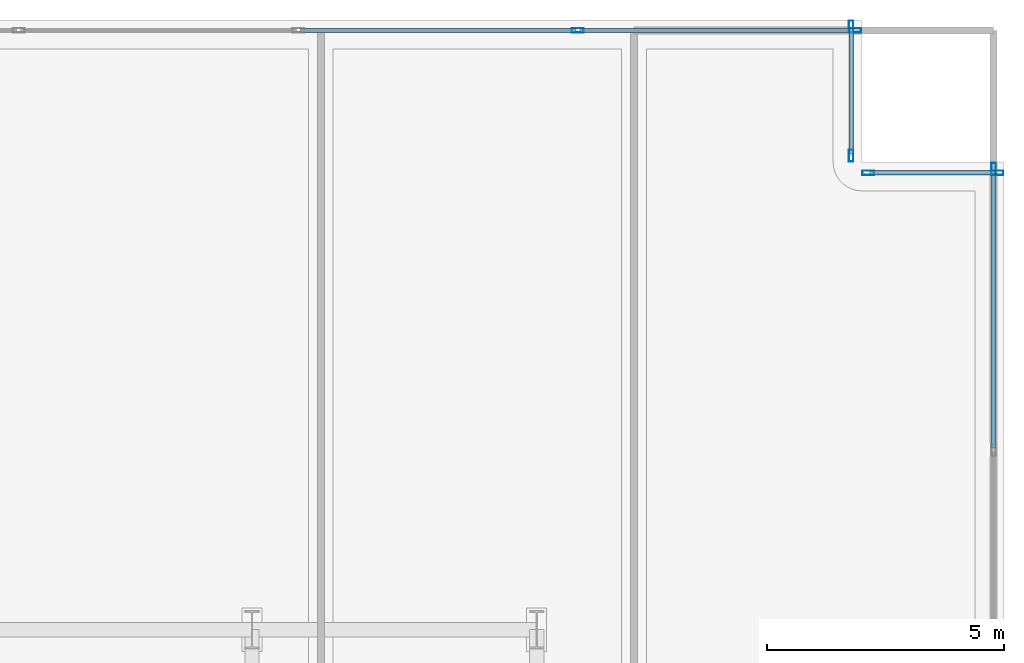
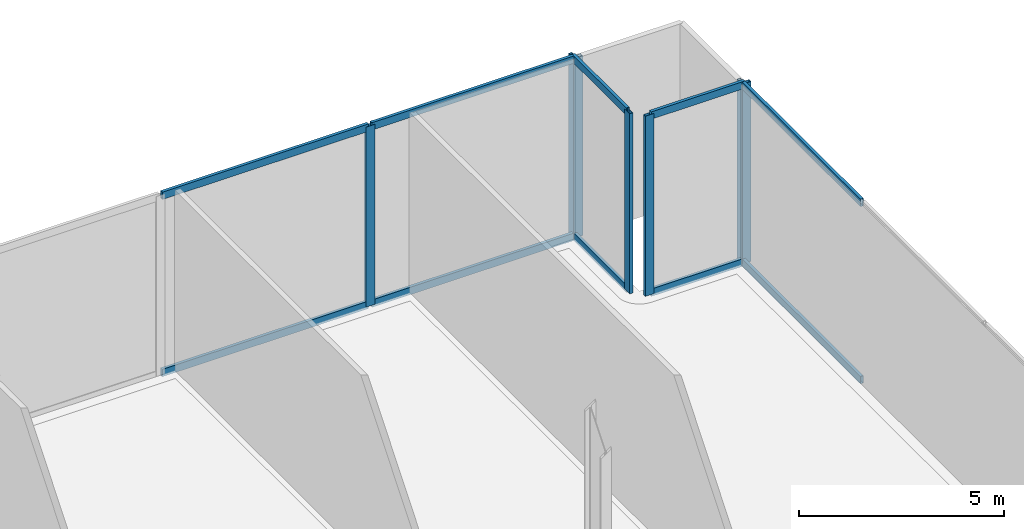
# One storey, part 19 of 27: 17 members, 4 elements without a shape of their own.
"""IFC4 building model written with IfcOpenShell, lengths in metres."""

from ifc_helpers import new_model, si_unit, direction, frame, origin, origin_2d, place, context, subcontext, project, spatial, hollow_rectangle, extrude, material, layer, layer_set, material_profile, profile_set, type_object, element, aggregate, save


model = new_model("IFC4")

# Units and contexts
model_context = context("Model", 3, precision=1e-05, world=origin(), true_north=direction((0.0, 1.0)))
body_context = subcontext(model_context, "Body", "Model", "MODEL_VIEW")
ifc_project = project(units=[si_unit("LENGTHUNIT", "METRE"), si_unit("AREAUNIT", "SQUARE_METRE"), si_unit("VOLUMEUNIT", "CUBIC_METRE"), si_unit("PLANEANGLEUNIT", "RADIAN"), si_unit("MASSUNIT", "GRAM", prefix="KILO"), si_unit("THERMODYNAMICTEMPERATUREUNIT", "KELVIN"), si_unit("POWERUNIT", "WATT")], contexts=[model_context])

# Site, building, storey
site_placement = place(None, origin())
site = spatial("IfcSite", under=ifc_project, at=site_placement, CompositionType="ELEMENT")
building_placement = place(site_placement, origin())
building = spatial("IfcBuilding", under=site, at=building_placement, Name="Svarakhadi Broadcast Tower", CompositionType="ELEMENT")
storey_placement = place(building_placement, frame((0.0, 0.0, 21.89990234375)))
storey = spatial("IfcBuildingStorey", under=building, at=storey_placement, Name="L04", CompositionType="ELEMENT", Elevation=21.89990234375)

# Curtain wall, members
ifc_material = material(Name="Anodised Bronze Aluminium AA 6063-T6", Category="aluminium")
ifc_layer = layer(ifc_material, 0.25)
ifc_layer_set = layer_set([ifc_layer], Name="Anodised Bronze Aluminium AA 6063-T6")
curtain_wall_type = type_object("IfcCurtainWallType", Name="CW_Sys_01", PredefinedType="NOTDEFINED", material=ifc_layer_set)
curtain_wall_1_placement = place(storey_placement, origin())
curtain_wall_1 = element("IfcCurtainWall", 1, at=curtain_wall_1_placement, inside=storey, type_object=curtain_wall_type, Name="L04 Unitised Facade Curtain Wall 05 Bay 2", PredefinedType="NOTDEFINED")
ifc_material_profile_1 = material_profile(ifc_material, hollow_rectangle(XDim=0.094970703125, YDim=0.25, WallThickness=0.006103515625, at=origin_2d()), Name="ALU MULLION 250x95x6")
ifc_profile_set_1 = profile_set([ifc_material_profile_1], Name="Anodised Bronze Aluminium AA 6063-T6")
member_type_1 = type_object("IfcMemberType", Name="CW_Sys_01_Mul", PredefinedType="MULLION", material=ifc_profile_set_1)
member_1_placement = place(storey_placement, frame((54.017578125, 47.780029296875, 0.0), z_axis=(0.0, 0.0, 1.0), x_axis=(0.0, 1.0, 0.0)))
member_1 = element("IfcMember", 2, at=member_1_placement, type_object=member_type_1, Name="CW-01 mullion 8", PredefinedType="MULLION", context=body_context, shape_type="SweptSolid", body=[
    extrude(hollow_rectangle(XDim=0.094970703125, YDim=0.25, WallThickness=0.006103515625, at=origin_2d()), origin(), (0.0, 0.0, 1.0), 5.35009765625),
])
member_2_placement = place(storey_placement, frame((59.862548828125, 47.780029296875, 0.0), z_axis=(0.0, 0.0, 1.0), x_axis=(0.0, 1.0, 0.0)))
member_2 = element("IfcMember", 3, at=member_2_placement, type_object=member_type_1, Name="CW-01 mullion 9", PredefinedType="MULLION", context=body_context, shape_type="SweptSolid", body=[
    extrude(hollow_rectangle(XDim=0.094970703125, YDim=0.25, WallThickness=0.006103515625, at=origin_2d()), origin(), (0.0, 0.0, 1.0), 5.35009765625),
])

curtain_wall_2_placement = place(storey_placement, origin())
curtain_wall_2 = element("IfcCurtainWall", 4, at=curtain_wall_2_placement, inside=storey, type_object=curtain_wall_type, Name="L04 Unitised Facade Curtain Wall 06", PredefinedType="NOTDEFINED")
member_3_placement = place(storey_placement, frame((59.780029296875, 47.862548828125, 0.0), z_axis=(0.0, 0.0, 1.0), x_axis=(1.0, 0.0, 0.0)))
member_3 = element("IfcMember", 5, at=member_3_placement, type_object=member_type_1, Name="CW-01 mullion 1", PredefinedType="MULLION", context=body_context, shape_type="SweptSolid", body=[
    extrude(hollow_rectangle(XDim=0.094970703125, YDim=0.25, WallThickness=0.006103515625, at=origin_2d()), origin(), (0.0, 0.0, 1.0), 5.35009765625),
])
member_4_placement = place(storey_placement, frame((59.780029296875, 45.137451171875, 0.0), z_axis=(0.0, 0.0, 1.0), x_axis=(1.0, 0.0, 0.0)))
member_4 = element("IfcMember", 6, at=member_4_placement, type_object=member_type_1, Name="CW-01 mullion 2", PredefinedType="MULLION", context=body_context, shape_type="SweptSolid", body=[
    extrude(hollow_rectangle(XDim=0.094970703125, YDim=0.25, WallThickness=0.006103515625, at=origin_2d()), origin(), (0.0, 0.0, 1.0), 5.35009765625),
])

curtain_wall_3_placement = place(storey_placement, origin())
curtain_wall_3 = element("IfcCurtainWall", 7, at=curtain_wall_3_placement, inside=storey, type_object=curtain_wall_type, Name="L04 Unitised Facade Curtain Wall 07", PredefinedType="NOTDEFINED")
member_5_placement = place(storey_placement, frame((60.137451171875, 44.780029296875, 0.0), z_axis=(0.0, 0.0, 1.0), x_axis=(0.0, 1.0, 0.0)))
member_5 = element("IfcMember", 8, at=member_5_placement, type_object=member_type_1, Name="CW-01 mullion 1", PredefinedType="MULLION", context=body_context, shape_type="SweptSolid", body=[
    extrude(hollow_rectangle(XDim=0.094970703125, YDim=0.25, WallThickness=0.006103515625, at=origin_2d()), origin(), (0.0, 0.0, 1.0), 5.35009765625),
])
member_6_placement = place(storey_placement, frame((62.862548828125, 44.780029296875, 0.0), z_axis=(0.0, 0.0, 1.0), x_axis=(0.0, 1.0, 0.0)))
member_6 = element("IfcMember", 9, at=member_6_placement, type_object=member_type_1, Name="CW-01 mullion 2", PredefinedType="MULLION", context=body_context, shape_type="SweptSolid", body=[
    extrude(hollow_rectangle(XDim=0.094970703125, YDim=0.25, WallThickness=0.006103515625, at=origin_2d()), origin(), (0.0, 0.0, 1.0), 5.35009765625),
])

# Curtain wall, member
curtain_wall_4_placement = place(storey_placement, origin())
curtain_wall_4 = element("IfcCurtainWall", 10, at=curtain_wall_4_placement, inside=storey, type_object=curtain_wall_type, Name="L04 Unitised Facade Curtain Wall 08", PredefinedType="NOTDEFINED")
member_7_placement = place(storey_placement, frame((62.780029296875, 44.862548828125, 0.0), z_axis=(0.0, 0.0, 1.0), x_axis=(1.0, 0.0, 0.0)))
member_7 = element("IfcMember", 11, at=member_7_placement, type_object=member_type_1, Name="CW-01 mullion 1", PredefinedType="MULLION", context=body_context, shape_type="SweptSolid", body=[
    extrude(hollow_rectangle(XDim=0.094970703125, YDim=0.25, WallThickness=0.006103515625, at=origin_2d()), origin(), (0.0, 0.0, 1.0), 5.35009765625),
])

# Member
ifc_material_profile_2 = material_profile(ifc_material, hollow_rectangle(XDim=0.0849609375, YDim=0.219970703125, WallThickness=0.0048828125, at=origin_2d()), Name="ALU TRANSOM 220x85x5")
ifc_profile_set_2 = profile_set([ifc_material_profile_2], Name="Anodised Bronze Aluminium AA 6063-T6")
member_type_2 = type_object("IfcMemberType", Name="CW_Sys_01_Trn", PredefinedType="USERDEFINED", material=ifc_profile_set_2)
member_8_placement = place(storey_placement, frame((48.172607421875, 47.780029296875, 0.04248046875), z_axis=(1.0, 0.0, 0.0), x_axis=(0.0, 1.0, 0.0)))
member_8 = element("IfcMember", 12, at=member_8_placement, type_object=member_type_2, Name="CW-01 transom 7.1", ObjectType="TRANSOM", PredefinedType="USERDEFINED", context=body_context, shape_type="SweptSolid", body=[
    extrude(hollow_rectangle(XDim=0.0849609375, YDim=0.219970703125, WallThickness=0.0048828125, at=origin_2d()), origin(), (0.0, 0.0, 1.0), 5.79736328125),
])

member_9_placement = place(storey_placement, frame((48.172607421875, 47.780029296875, 5.3076171875), z_axis=(1.0, 0.0, 0.0), x_axis=(0.0, 1.0, 0.0)))
member_9 = element("IfcMember", 13, at=member_9_placement, type_object=member_type_2, Name="CW-01 transom 7.2", ObjectType="TRANSOM", PredefinedType="USERDEFINED", context=body_context, shape_type="SweptSolid", body=[
    extrude(hollow_rectangle(XDim=0.0849609375, YDim=0.219970703125, WallThickness=0.0048828125, at=origin_2d()), origin(), (0.0, 0.0, 1.0), 5.79736328125),
])

member_10_placement = place(storey_placement, frame((54.06494140625, 47.780029296875, 0.04248046875), z_axis=(1.0, 0.0, 0.0), x_axis=(0.0, 1.0, 0.0)))
member_10 = element("IfcMember", 14, at=member_10_placement, type_object=member_type_2, Name="CW-01 transom 8.1", ObjectType="TRANSOM", PredefinedType="USERDEFINED", context=body_context, shape_type="SweptSolid", body=[
    extrude(hollow_rectangle(XDim=0.0849609375, YDim=0.219970703125, WallThickness=0.0048828125, at=origin_2d()), origin(), (0.0, 0.0, 1.0), 5.75),
])

member_11_placement = place(storey_placement, frame((54.06494140625, 47.780029296875, 5.3076171875), z_axis=(1.0, 0.0, 0.0), x_axis=(0.0, 1.0, 0.0)))
member_11 = element("IfcMember", 15, at=member_11_placement, type_object=member_type_2, Name="CW-01 transom 8.2", ObjectType="TRANSOM", PredefinedType="USERDEFINED", context=body_context, shape_type="SweptSolid", body=[
    extrude(hollow_rectangle(XDim=0.0849609375, YDim=0.219970703125, WallThickness=0.0048828125, at=origin_2d()), origin(), (0.0, 0.0, 1.0), 5.75),
])

aggregate(curtain_wall_1, [member_1, member_2, member_8, member_9, member_10, member_11])

member_12_placement = place(storey_placement, frame((59.780029296875, 47.81494140625, 0.04248046875), z_axis=(0.0, -1.0, 0.0), x_axis=(1.0, 0.0, 0.0)))
member_12 = element("IfcMember", 16, at=member_12_placement, type_object=member_type_2, Name="CW-01 transom 1.1", ObjectType="TRANSOM", PredefinedType="USERDEFINED", context=body_context, shape_type="SweptSolid", body=[
    extrude(hollow_rectangle(XDim=0.0849609375, YDim=0.219970703125, WallThickness=0.0048828125, at=origin_2d()), origin(), (0.0, 0.0, 1.0), 2.6298828125),
])

member_13_placement = place(storey_placement, frame((59.780029296875, 47.81494140625, 5.3076171875), z_axis=(0.0, -1.0, 0.0), x_axis=(1.0, 0.0, 0.0)))
member_13 = element("IfcMember", 17, at=member_13_placement, type_object=member_type_2, Name="CW-01 transom 1.2", ObjectType="TRANSOM", PredefinedType="USERDEFINED", context=body_context, shape_type="SweptSolid", body=[
    extrude(hollow_rectangle(XDim=0.0849609375, YDim=0.219970703125, WallThickness=0.0048828125, at=origin_2d()), origin(), (0.0, 0.0, 1.0), 2.6298828125),
])

aggregate(curtain_wall_2, [member_3, member_4, member_12, member_13])

member_14_placement = place(storey_placement, frame((60.18505859375, 44.780029296875, 0.04248046875), z_axis=(1.0, 0.0, 0.0), x_axis=(0.0, 1.0, 0.0)))
member_14 = element("IfcMember", 18, at=member_14_placement, type_object=member_type_2, Name="CW-01 transom 1.1", ObjectType="TRANSOM", PredefinedType="USERDEFINED", context=body_context, shape_type="SweptSolid", body=[
    extrude(hollow_rectangle(XDim=0.0849609375, YDim=0.219970703125, WallThickness=0.0048828125, at=origin_2d()), origin(), (0.0, 0.0, 1.0), 2.6298828125),
])

member_15_placement = place(storey_placement, frame((60.18505859375, 44.780029296875, 5.3076171875), z_axis=(1.0, 0.0, 0.0), x_axis=(0.0, 1.0, 0.0)))
member_15 = element("IfcMember", 19, at=member_15_placement, type_object=member_type_2, Name="CW-01 transom 1.2", ObjectType="TRANSOM", PredefinedType="USERDEFINED", context=body_context, shape_type="SweptSolid", body=[
    extrude(hollow_rectangle(XDim=0.0849609375, YDim=0.219970703125, WallThickness=0.0048828125, at=origin_2d()), origin(), (0.0, 0.0, 1.0), 2.6298828125),
])

aggregate(curtain_wall_3, [member_5, member_6, member_14, member_15])

member_16_placement = place(storey_placement, frame((62.780029296875, 44.81494140625, 0.04248046875), z_axis=(0.0, -1.0, 0.0), x_axis=(1.0, 0.0, 0.0)))
member_16 = element("IfcMember", 20, at=member_16_placement, type_object=member_type_2, Name="CW-01 transom 1.1", ObjectType="TRANSOM", PredefinedType="USERDEFINED", context=body_context, shape_type="SweptSolid", body=[
    extrude(hollow_rectangle(XDim=0.0849609375, YDim=0.219970703125, WallThickness=0.0048828125, at=origin_2d()), origin(), (0.0, 0.0, 1.0), 5.831787109375),
])

member_17_placement = place(storey_placement, frame((62.780029296875, 44.81494140625, 5.3076171875), z_axis=(0.0, -1.0, 0.0), x_axis=(1.0, 0.0, 0.0)))
member_17 = element("IfcMember", 21, at=member_17_placement, type_object=member_type_2, Name="CW-01 transom 1.2", ObjectType="TRANSOM", PredefinedType="USERDEFINED", context=body_context, shape_type="SweptSolid", body=[
    extrude(hollow_rectangle(XDim=0.0849609375, YDim=0.219970703125, WallThickness=0.0048828125, at=origin_2d()), origin(), (0.0, 0.0, 1.0), 5.831787109375),
])

aggregate(curtain_wall_4, [member_7, member_16, member_17])

save(model, "model.ifc")
